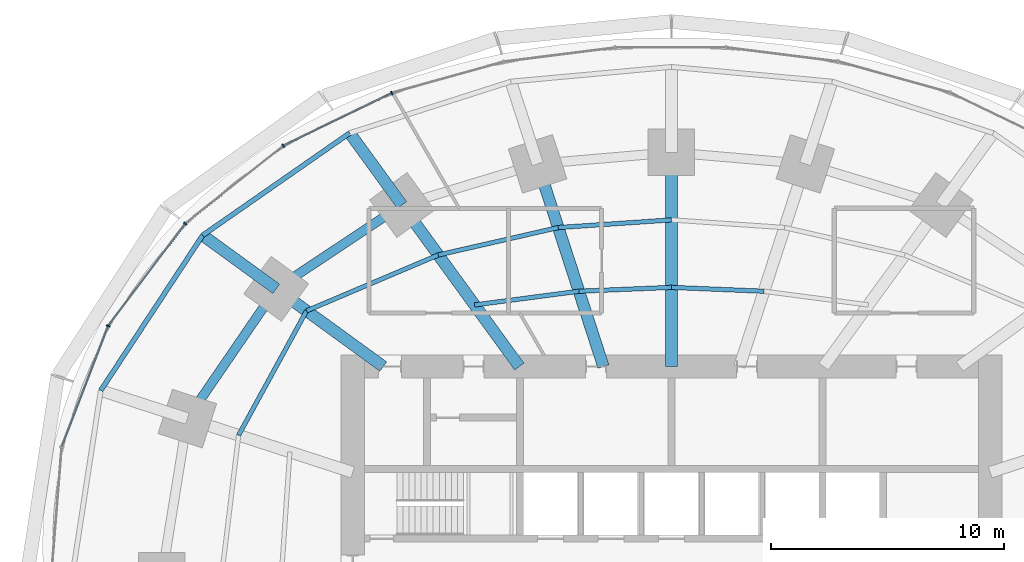
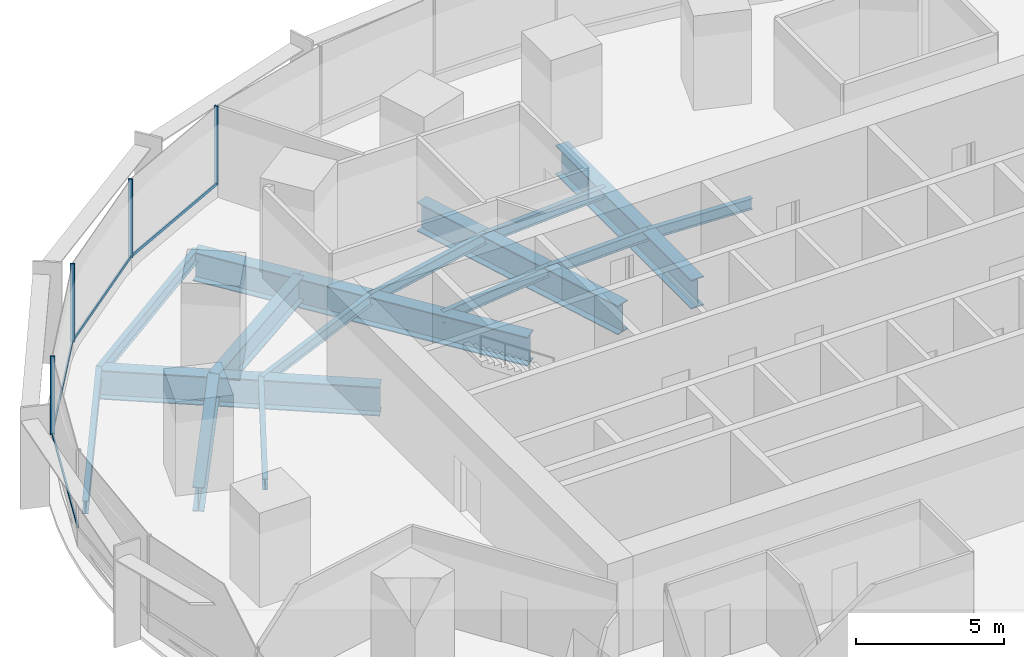
# One storey, part 7 of 15: 17 beams, 8 members, 1 element without a shape of its own.
"""IFC4 building model written with IfcOpenShell, lengths in metres."""

from ifc_helpers import new_model, si_unit, direction, frame, origin, origin_2d, place, context, subcontext, project, spatial, rectangle, i_section, extrude, material, material_profile, profile_set, type_object, element, aggregate, save


model = new_model("IFC4")

# Units and contexts
model_context = context("Model", 3, precision=1e-05, world=origin(), true_north=direction((0.0, 1.0)))
body_context = subcontext(model_context, "Body", "Model", "MODEL_VIEW")
ifc_project = project(units=[si_unit("LENGTHUNIT", "METRE"), si_unit("AREAUNIT", "SQUARE_METRE"), si_unit("VOLUMEUNIT", "CUBIC_METRE"), si_unit("PLANEANGLEUNIT", "RADIAN"), si_unit("MASSUNIT", "GRAM", prefix="KILO")], contexts=[model_context])

# Site, building, storey
site_placement = place(None, origin())
site = spatial("IfcSite", under=ifc_project, at=site_placement, CompositionType="ELEMENT")
building_placement = place(site_placement, origin())
building = spatial("IfcBuilding", under=site, at=building_placement, Name="Marramba Exchange Tower", CompositionType="ELEMENT")
storey_placement = place(building_placement, frame((0.0, 0.0, 28.0)))
storey = spatial("IfcBuildingStorey", under=building, at=storey_placement, Name="L06", CompositionType="ELEMENT", Elevation=28.0)

# Beams
ifc_material_1 = material(Name="Steel AS/NZS 3679.2 grade 300", Category="steel")
ifc_material_profile_1 = material_profile(ifc_material_1, i_section(OverallWidth=0.5, OverallDepth=1.199951171875, WebThickness=0.01611328125, FlangeThickness=0.0400390625, at=origin_2d()), Name="1200WB455")
ifc_profile_set_1 = profile_set([ifc_material_profile_1], Name="Steel AS/NZS 3679.2 grade 300")
beam_type_1 = type_object("IfcBeamType", Name="Cantilever girder 1200WB455", PredefinedType="BEAM", material=ifc_profile_set_1)
beam_1_placement = place(storey_placement, frame((-11.581298828125, 15.9404296875, -0.760009765625), z_axis=(-0.587795827483, 0.809009310944, 0.0), x_axis=(-0.809009310944, -0.587795827483, 0.0)))
element("IfcBeam", 1, at=beam_1_placement, inside=storey, type_object=beam_type_1, Name="Cantilever girder L06 TC08", PredefinedType="BEAM", context=body_context, shape_type="SweptSolid", body=[
    extrude(i_section(OverallWidth=0.5, OverallDepth=1.199951171875, WebThickness=0.01611328125, FlangeThickness=0.0400390625, at=origin_2d()), origin(), (0.0, 0.0, 1.0), 3.82421875),
])
beam_2_placement = place(storey_placement, frame((-16.98583984375, 12.3408203125, -0.760009765625), z_axis=(-0.808987260856, 0.587826174793, 0.0), x_axis=(-0.587826174793, -0.808987260856, 0.0)))
element("IfcBeam", 2, at=beam_2_placement, inside=storey, type_object=beam_type_1, Name="Cantilever girder L06 TC09", PredefinedType="BEAM", context=body_context, shape_type="SweptSolid", body=[
    extrude(i_section(OverallWidth=0.5, OverallDepth=1.199951171875, WebThickness=0.01611328125, FlangeThickness=0.0400390625, at=origin_2d()), origin(), (0.0, 0.0, 1.0), 3.90771484375),
])
ifc_material_2 = material(Name="Steel AS/NZS 3679.1 grade 300", Category="steel")
ifc_material_profile_2 = material_profile(ifc_material_2, i_section(OverallWidth=0.18994140625, OverallDepth=0.4541015625, WebThickness=0.008544921875, FlangeThickness=0.0126953125, FilletRadius=0.011474609375, at=origin_2d()), Name="460UB67.1")
ifc_profile_set_2 = profile_set([ifc_material_profile_2], Name="Steel AS/NZS 3679.1 grade 300")
beam_type_2 = type_object("IfcBeamType", Name="Floor joist 460UB67.1", PredefinedType="JOIST", material=ifc_profile_set_2)
for number, where, z_axis, x_axis, name in (
    (3, (3.975830078125, 12.236083984375, -0.386962890625), (-0.999137002892, 0.041536122257, 0.0), (-0.041536122257, -0.999137002892, 0.0), "Joist L06 bay 05 row 1"),
    (4, (0.0, 12.4013671875, -0.386962890625), (-0.999137002892, -0.041536122257, 0.0), (0.041536122257, -0.999137002892, 0.0), "Joist L06 bay 06 row 1"),
):
    element("IfcBeam", number, at=place(storey_placement, frame(where, z_axis=z_axis, x_axis=x_axis)), inside=storey, type_object=beam_type_2, Name=name, PredefinedType="JOIST", context=body_context, shape_type="SweptSolid", body=[
        extrude(i_section(OverallWidth=0.18994140625, OverallDepth=0.4541015625, WebThickness=0.008544921875, FlangeThickness=0.0126953125, FilletRadius=0.011474609375, at=origin_2d()), origin(), (0.0, 0.0, 1.0), 3.979248046875),
    ])
beam_3_placement = place(storey_placement, frame((0.0, 15.302734375, -0.386962890625), z_axis=(-0.997702652202, -0.067745241816, 0.0), x_axis=(0.067745241816, -0.997702652202, 0.0)))
element("IfcBeam", 5, at=beam_3_placement, inside=storey, type_object=beam_type_2, Name="Joist L06 bay 06 row 2", PredefinedType="JOIST", context=body_context, shape_type="SweptSolid", body=[
    extrude(i_section(OverallWidth=0.18994140625, OverallDepth=0.4541015625, WebThickness=0.008544921875, FlangeThickness=0.0126953125, FilletRadius=0.011474609375, at=origin_2d()), origin(), (0.0, 0.0, 1.0), 4.8759765625),
])
beam_4_placement = place(storey_placement, frame((-3.975830078125, 12.236083984375, -0.386962890625), z_axis=(-0.991480538255, -0.130254912618, 0.0), x_axis=(0.130254912618, -0.991480538255, 0.0)))
element("IfcBeam", 6, at=beam_4_placement, inside=storey, type_object=beam_type_2, Name="Joist L06 bay 07 row 1", PredefinedType="JOIST", context=body_context, shape_type="SweptSolid", body=[
    extrude(i_section(OverallWidth=0.18994140625, OverallDepth=0.4541015625, WebThickness=0.008544921875, FlangeThickness=0.0126953125, FilletRadius=0.011474609375, at=origin_2d()), origin(), (0.0, 0.0, 1.0), 4.524658203125),
])
beam_5_placement = place(storey_placement, frame((-4.86474609375, 14.972412109375, -0.386962890625), z_axis=(-0.974859652292, -0.222819788916, 0.0), x_axis=(0.222819788916, -0.974859652292, 0.0)))
element("IfcBeam", 7, at=beam_5_placement, inside=storey, type_object=beam_type_2, Name="Joist L06 bay 07 row 2", PredefinedType="JOIST", context=body_context, shape_type="SweptSolid", body=[
    extrude(i_section(OverallWidth=0.18994140625, OverallDepth=0.4541015625, WebThickness=0.008544921875, FlangeThickness=0.0126953125, FilletRadius=0.011474609375, at=origin_2d()), origin(), (0.0, 0.0, 1.0), 5.2900390625),
])
beam_6_placement = place(storey_placement, frame((-10.021728515625, 13.793701171875, -0.386962890625), z_axis=(-0.920674336375, -0.390331610738, 0.0), x_axis=(0.390331610738, -0.920674336375, 0.0)))
element("IfcBeam", 8, at=beam_6_placement, inside=storey, type_object=beam_type_2, Name="Joist L06 bay 08 row 2", PredefinedType="JOIST", context=body_context, shape_type="SweptSolid", body=[
    extrude(i_section(OverallWidth=0.18994140625, OverallDepth=0.4541015625, WebThickness=0.008544921875, FlangeThickness=0.0126953125, FilletRadius=0.011474609375, at=origin_2d()), origin(), (0.0, 0.0, 1.0), 6.1484375),
])
beam_7_placement = place(storey_placement, frame((-15.682373046875, 11.393798828125, -0.386962890625), z_axis=(-0.479584443791, -0.877495732909, 0.0), x_axis=(0.877495732909, -0.479584443791, 0.0)))
element("IfcBeam", 9, at=beam_7_placement, inside=storey, type_object=beam_type_2, Name="Joist L06 bay 09 row 2", PredefinedType="JOIST", context=body_context, shape_type="SweptSolid", body=[
    extrude(i_section(OverallWidth=0.18994140625, OverallDepth=0.4541015625, WebThickness=0.008544921875, FlangeThickness=0.0126953125, FilletRadius=0.011474609375, at=origin_2d()), origin(), (0.0, 0.0, 1.0), 6.094970703125),
])
ifc_material_profile_3 = material_profile(ifc_material_1, i_section(OverallWidth=0.5, OverallDepth=1.199951171875, WebThickness=0.01611328125, FlangeThickness=0.0400390625, at=origin_2d()), Name="1200WB455")
ifc_profile_set_3 = profile_set([ifc_material_profile_3], Name="Steel AS/NZS 3679.2 grade 300")
beam_type_3 = type_object("IfcBeamType", Name="Radial girder 1200WB455", PredefinedType="BEAM", material=ifc_profile_set_3)
beam_8_placement = place(storey_placement, frame((0.0, 9.0, -0.760009765625), z_axis=(0.0, 1.0, 0.0), x_axis=(-1.0, 0.0, 0.0)))
element("IfcBeam", 10, at=beam_8_placement, inside=storey, type_object=beam_type_3, Name="Radial girder L06 TC06", PredefinedType="BEAM", context=body_context, shape_type="SweptSolid", body=[
    extrude(i_section(OverallWidth=0.5, OverallDepth=1.199951171875, WebThickness=0.01611328125, FlangeThickness=0.0400390625, at=origin_2d()), origin(), (0.0, 0.0, 1.0), 9.2041015625),
])
beam_9_placement = place(storey_placement, frame((-2.92431640625, 9.0, -0.760009765625), z_axis=(-0.309019754162, 0.951055619582, 0.0), x_axis=(-0.951055619582, -0.309019754162, 0.0)))
element("IfcBeam", 11, at=beam_9_placement, inside=storey, type_object=beam_type_3, Name="Radial girder L06 TC07", PredefinedType="BEAM", context=body_context, shape_type="SweptSolid", body=[
    extrude(i_section(OverallWidth=0.5, OverallDepth=1.199951171875, WebThickness=0.01611328125, FlangeThickness=0.0400390625, at=origin_2d()), origin(), (0.0, 0.0, 1.0), 9.15673828125),
])
beam_10_placement = place(storey_placement, frame((-6.538818359375, 9.0, -0.760009765625), z_axis=(-0.587782439969, 0.80901903764, 0.0), x_axis=(-0.80901903764, -0.587782439969, 0.0)))
element("IfcBeam", 12, at=beam_10_placement, inside=storey, type_object=beam_type_3, Name="Radial girder L06 TC08", PredefinedType="BEAM", context=body_context, shape_type="SweptSolid", body=[
    extrude(i_section(OverallWidth=0.5, OverallDepth=1.199951171875, WebThickness=0.01611328125, FlangeThickness=0.0400390625, at=origin_2d()), origin(), (0.0, 0.0, 1.0), 8.578857421875),
])
beam_11_placement = place(storey_placement, frame((-12.387451171875, 9.0, -0.760009765625), z_axis=(-0.809025746925, 0.587773205252, 0.0), x_axis=(-0.587773205252, -0.809025746925, 0.0)))
element("IfcBeam", 13, at=beam_11_placement, inside=storey, type_object=beam_type_3, Name="Radial girder L06 TC09", PredefinedType="BEAM", context=body_context, shape_type="SweptSolid", body=[
    extrude(i_section(OverallWidth=0.5, OverallDepth=1.199951171875, WebThickness=0.01611328125, FlangeThickness=0.0400390625, at=origin_2d()), origin(), (0.0, 0.0, 1.0), 5.683837890625),
])
ifc_material_profile_4 = material_profile(ifc_material_1, i_section(OverallWidth=0.39990234375, OverallDepth=1.0, WebThickness=0.01611328125, FlangeThickness=0.031982421875, at=origin_2d()), Name="1000WB322")
ifc_profile_set_4 = profile_set([ifc_material_profile_4], Name="Steel AS/NZS 3679.2 grade 300")
beam_type_4 = type_object("IfcBeamType", Name="Ring beam 1000WB322", PredefinedType="SPANDREL", material=ifc_profile_set_4)
beam_12_placement = place(storey_placement, frame((-11.581298828125, 15.9404296875, -0.659912109375), z_axis=(-0.832293151443, -0.554335737673, 0.0), x_axis=(0.554335737673, -0.832293151443, 0.0)))
element("IfcBeam", 14, at=beam_12_placement, inside=storey, type_object=beam_type_4, Name="Ring beam L06 TC08-TC09", PredefinedType="SPANDREL", context=body_context, shape_type="SweptSolid", body=[
    extrude(i_section(OverallWidth=0.39990234375, OverallDepth=1.0, WebThickness=0.01611328125, FlangeThickness=0.031982421875, at=origin_2d()), origin(), (0.0, 0.0, 1.0), 6.49365234375),
])
beam_13_placement = place(storey_placement, frame((-16.98583984375, 12.3408203125, -0.659912109375), z_axis=(-0.56516002054, -0.824981303535, 0.0), x_axis=(0.824981303535, -0.56516002054, 0.0)))
element("IfcBeam", 15, at=beam_13_placement, inside=storey, type_object=beam_type_4, Name="Ring beam L06 TC09-TC10", PredefinedType="SPANDREL", context=body_context, shape_type="SweptSolid", body=[
    extrude(i_section(OverallWidth=0.39990234375, OverallDepth=1.0, WebThickness=0.01611328125, FlangeThickness=0.031982421875, at=origin_2d()), origin(), (0.0, 0.0, 1.0), 6.763671875),
])
ifc_material_profile_5 = material_profile(ifc_material_2, i_section(OverallWidth=0.208984375, OverallDepth=0.528076171875, WebThickness=0.009521484375, FlangeThickness=0.01318359375, FilletRadius=0.013916015625, at=origin_2d()), Name="530UB82.0")
ifc_profile_set_5 = profile_set([ifc_material_profile_5], Name="Steel AS/NZS 3679.1 grade 300")
beam_type_5 = type_object("IfcBeamType", Name="Slab edge beam 530UB82.0", PredefinedType="SPANDREL", material=ifc_profile_set_5)
beam_14_placement = place(storey_placement, frame((-13.8291015625, 19.0341796875, -0.424072265625), z_axis=(-0.820842487183, -0.571154629882, 0.0), x_axis=(0.571154629882, -0.820842487183, 0.0)))
element("IfcBeam", 16, at=beam_14_placement, inside=storey, type_object=beam_type_5, Name="Slab edge beam L06 TC08-TC09", PredefinedType="SPANDREL", context=body_context, shape_type="SweptSolid", body=[
    extrude(i_section(OverallWidth=0.208984375, OverallDepth=0.528076171875, WebThickness=0.009521484375, FlangeThickness=0.01318359375, FilletRadius=0.013916015625, at=origin_2d()), origin(), (0.0, 0.0, 1.0), 7.697021484375),
])
beam_15_placement = place(storey_placement, frame((-20.147216796875, 14.637939453125, -0.424072265625), z_axis=(-0.549123544095, -0.835741188001, 0.0), x_axis=(0.835741188001, -0.549123544095, 0.0)))
element("IfcBeam", 17, at=beam_15_placement, inside=storey, type_object=beam_type_5, Name="Slab edge beam L06 TC09-TC10", PredefinedType="SPANDREL", context=body_context, shape_type="SweptSolid", body=[
    extrude(i_section(OverallWidth=0.208984375, OverallDepth=0.528076171875, WebThickness=0.009521484375, FlangeThickness=0.01318359375, FilletRadius=0.013916015625, at=origin_2d()), origin(), (0.0, 0.0, 1.0), 7.978759765625),
])

# Curtain wall, members
ifc_material_3 = material(Name="Aluminium framing, bronze anodised", Category="aluminium")
curtain_wall_type = type_object("IfcCurtainWallType", Name="Trading floor ribbon curtain wall", PredefinedType="USERDEFINED", material=ifc_material_3)
curtain_wall_placement = place(storey_placement, origin())
curtain_wall = element("IfcCurtainWall", 18, at=curtain_wall_placement, inside=storey, type_object=curtain_wall_type, Name="Curtain wall CW3 L06 F11-F15", ObjectType="RIBBON CURTAIN WALL", PredefinedType="USERDEFINED")
ifc_material_4 = material(Name="Aluminium mullion, bronze anodised", Category="aluminium")
ifc_material_profile_6 = material_profile(ifc_material_4, rectangle(XDim=0.159912109375, YDim=0.06005859375, at=origin_2d()), Name="CW3 mullion 60x160")
ifc_profile_set_6 = profile_set([ifc_material_profile_6], Name="Aluminium mullion, bronze anodised")
member_type_1 = type_object("IfcMemberType", Name="Trading floor ribbon curtain wall mullion", PredefinedType="MULLION", material=ifc_profile_set_6)
member_1_placement = place(storey_placement, frame((-12.016357421875, 20.7529296875, 0.800048828125), z_axis=(0.0, 0.0, 1.0), x_axis=(0.43596538664, -0.899963433508, 0.0)))
member_1 = element("IfcMember", 19, at=member_1_placement, type_object=member_type_1, Name="CW3 mullion 1", PredefinedType="MULLION", context=body_context, shape_type="SweptSolid", body=[
    extrude(rectangle(XDim=0.159912109375, YDim=0.06005859375, at=origin_2d()), origin(), (0.0, 0.0, 1.0), 3.239990234375),
])
member_2_placement = place(storey_placement, frame((-16.683837890625, 18.484619140625, 0.800048828125), z_axis=(0.0, 0.0, 1.0), x_axis=(0.620649730166, -0.784087949432, 0.0)))
member_2 = element("IfcMember", 20, at=member_2_placement, type_object=member_type_1, Name="CW3 mullion 1", PredefinedType="MULLION", context=body_context, shape_type="SweptSolid", body=[
    extrude(rectangle(XDim=0.159912109375, YDim=0.06005859375, at=origin_2d()), origin(), (0.0, 0.0, 1.0), 3.239990234375),
])
member_3_placement = place(storey_placement, frame((-20.8935546875, 15.142822265625, 0.800048828125), z_axis=(0.0, 0.0, 1.0), x_axis=(0.797748922445, -0.602989765036, 0.0)))
member_3 = element("IfcMember", 21, at=member_3_placement, type_object=member_type_1, Name="CW3 mullion 1", PredefinedType="MULLION", context=body_context, shape_type="SweptSolid", body=[
    extrude(rectangle(XDim=0.159912109375, YDim=0.06005859375, at=origin_2d()), origin(), (0.0, 0.0, 1.0), 3.239990234375),
])
member_4_placement = place(storey_placement, frame((-24.207275390625, 10.7451171875, 0.800048828125), z_axis=(0.0, 0.0, 1.0), x_axis=(0.933135256626, -0.359525510698, 0.0)))
member_4 = element("IfcMember", 22, at=member_4_placement, type_object=member_type_1, Name="CW3 mullion 1", PredefinedType="MULLION", context=body_context, shape_type="SweptSolid", body=[
    extrude(rectangle(XDim=0.159912109375, YDim=0.06005859375, at=origin_2d()), origin(), (0.0, 0.0, 1.0), 3.239990234375),
])
ifc_material_5 = material(Name="Aluminium transom, bronze anodised", Category="aluminium")
ifc_material_profile_7 = material_profile(ifc_material_5, rectangle(XDim=0.06005859375, YDim=0.1201171875, at=origin_2d()), Name="CW3 transom 60x120")
ifc_profile_set_7 = profile_set([ifc_material_profile_7], Name="Aluminium transom, bronze anodised")
member_type_2 = type_object("IfcMemberType", Name="Trading floor ribbon curtain wall transom", PredefinedType="USERDEFINED", material=ifc_profile_set_7)
member_5_placement = place(storey_placement, frame((-12.043212890625, 20.739990234375, 0.830078125), z_axis=(-0.89995331781, -0.43598626786, 0.0), x_axis=(0.43598626786, -0.89995331781, 0.0)))
member_5 = element("IfcMember", 23, at=member_5_placement, type_object=member_type_2, Name="CW3 sill transom", ObjectType="TRANSOM", PredefinedType="USERDEFINED", context=body_context, shape_type="SweptSolid", body=[
    extrude(rectangle(XDim=0.06005859375, YDim=0.1201171875, at=origin_2d()), origin(), (0.0, 0.0, 1.0), 5.13037109375),
])
member_6_placement = place(storey_placement, frame((-16.70751953125, 18.466064453125, 0.830078125), z_axis=(-0.784075625018, -0.620665299701, 0.0), x_axis=(0.620665299701, -0.784075625018, 0.0)))
member_6 = element("IfcMember", 24, at=member_6_placement, type_object=member_type_2, Name="CW3 sill transom", ObjectType="TRANSOM", PredefinedType="USERDEFINED", context=body_context, shape_type="SweptSolid", body=[
    extrude(rectangle(XDim=0.06005859375, YDim=0.1201171875, at=origin_2d()), origin(), (0.0, 0.0, 1.0), 5.315673828125),
])
member_7_placement = place(storey_placement, frame((-20.91162109375, 15.118896484375, 0.830078125), z_axis=(-0.602985866158, -0.797751869452, 0.0), x_axis=(0.797751869452, -0.602985866158, 0.0)))
member_7 = element("IfcMember", 25, at=member_7_placement, type_object=member_type_2, Name="CW3 sill transom", ObjectType="TRANSOM", PredefinedType="USERDEFINED", context=body_context, shape_type="SweptSolid", body=[
    extrude(rectangle(XDim=0.06005859375, YDim=0.1201171875, at=origin_2d()), origin(), (0.0, 0.0, 1.0), 5.44775390625),
])
member_8_placement = place(storey_placement, frame((-24.218017578125, 10.717041015625, 0.830078125), z_axis=(-0.359533581349, -0.933132147063, 0.0), x_axis=(0.933132147063, -0.359533581349, 0.0)))
member_8 = element("IfcMember", 26, at=member_8_placement, type_object=member_type_2, Name="CW3 sill transom", ObjectType="TRANSOM", PredefinedType="USERDEFINED", context=body_context, shape_type="SweptSolid", body=[
    extrude(rectangle(XDim=0.06005859375, YDim=0.1201171875, at=origin_2d()), origin(), (0.0, 0.0, 1.0), 5.5166015625),
])
aggregate(curtain_wall, [member_1, member_5, member_2, member_6, member_3, member_7, member_4, member_8])

save(model, "model.ifc")
